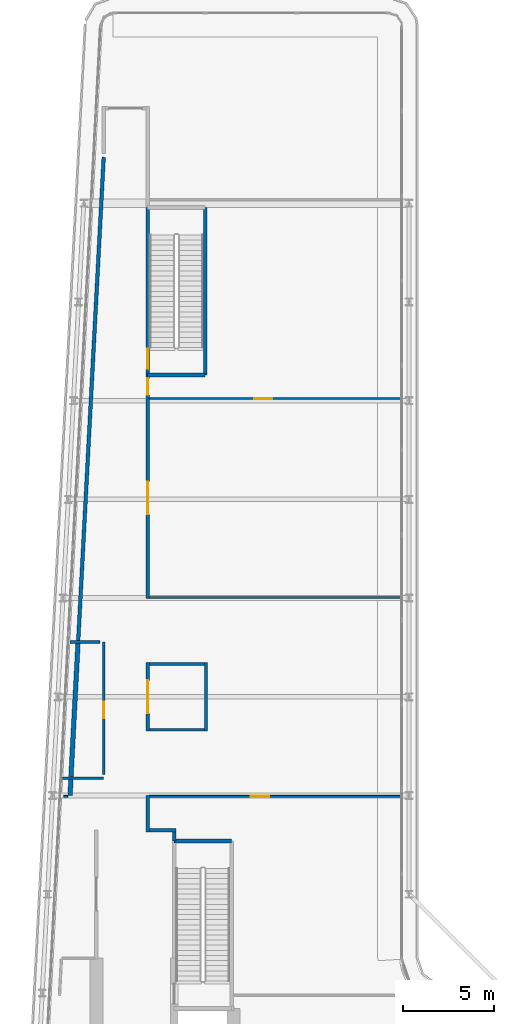
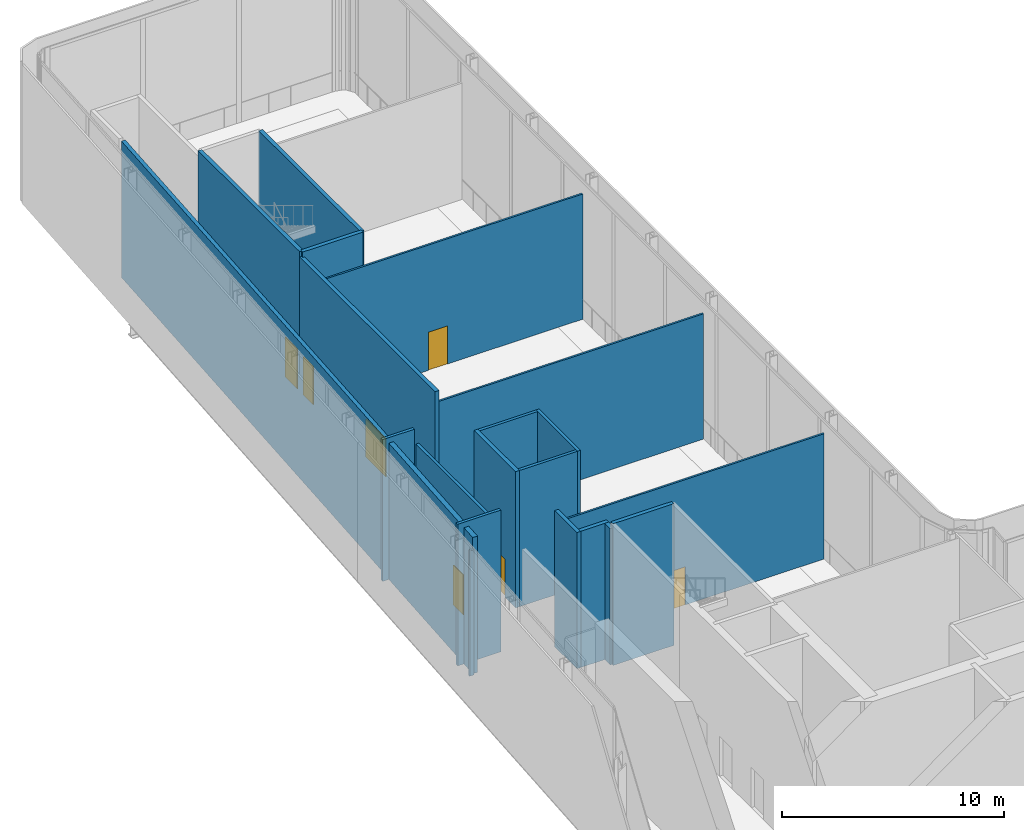
# One storey, part 29 of 38: 22 walls, 7 doors, 7 openings.
"""IFC4 building model written with IfcOpenShell, lengths in metres."""

from ifc_helpers import new_model, si_unit, direction, frame, frame_2d, origin, place, context, subcontext, project, spatial, rectangle, extrude, source, transform, mapped, material, layer, layer_set, type_object, element, fill, save


model = new_model("IFC4")

# Units and contexts
model_context = context("Model", 3, precision=1e-05, world=origin(), true_north=direction((0.0, 1.0)))
body_context = subcontext(model_context, "Body", "Model", "MODEL_VIEW")
ifc_project = project(units=[si_unit("LENGTHUNIT", "METRE"), si_unit("AREAUNIT", "SQUARE_METRE"), si_unit("VOLUMEUNIT", "CUBIC_METRE"), si_unit("PLANEANGLEUNIT", "RADIAN"), si_unit("MASSUNIT", "GRAM", prefix="KILO")], contexts=[model_context])

# Site, building, storey
site_placement = place(None, origin())
site = spatial("IfcSite", under=ifc_project, at=site_placement, CompositionType="ELEMENT")
building_placement = place(site_placement, origin())
building = spatial("IfcBuilding", under=site, at=building_placement, Name="Kheshtan School and Residences Tower", CompositionType="ELEMENT")
storey_placement = place(building_placement, frame((0.0, 0.0, 203.300048828125)))
storey = spatial("IfcBuildingStorey", under=building, at=storey_placement, Name="L48", CompositionType="ELEMENT", Elevation=203.300048828125)

# Walls
ifc_material_1 = material(Name="Gypsum board on steel studs with fire boards", Category="steel")
ifc_layer_1 = layer(ifc_material_1, 0.199951171875)
ifc_layer_set_1 = layer_set([ifc_layer_1], Name="Corridor wall 200")
wall_type_1 = type_object("IfcWallType", Name="Corridor wall 200", PredefinedType="PARTITIONING", material=ifc_layer_set_1)
wall_1_placement = place(storey_placement, frame((29.5048828125, 64.8740234375, 0.0), z_axis=(0.0, 0.0, 1.0), x_axis=(0.052618850307, 0.998614668725, 0.0)))
element("IfcWall", 1, at=wall_1_placement, inside=storey, type_object=wall_type_1, Name="Partition L48-006", PredefinedType="PARTITIONING", context=body_context, shape_type="SweptSolid", body=[
    extrude(rectangle(XDim=26.474609375, YDim=0.199951171875, at=frame_2d((13.2373046875, 0.0))), origin(), (0.0, 0.0, 1.0), 7.5),
])
wall_2_placement = place(storey_placement, frame((33.300048828125, 54.39990234375, 0.0), z_axis=(0.0, 0.0, 1.0), x_axis=(0.0, 1.0, 0.0)))
element("IfcWall", 2, at=wall_2_placement, inside=storey, type_object=wall_type_1, Name="Partition L48-010", PredefinedType="PARTITIONING", context=body_context, shape_type="SweptSolid", body=[
    extrude(rectangle(XDim=2.003173828125, YDim=0.199951171875, at=frame_2d((1.00146484375, 0.0))), origin(), (0.0, 0.0, 1.0), 7.5),
])

# Wall, opening, door
wall_3_placement = place(storey_placement, frame((33.300048828125, 59.91796875, 0.0), z_axis=(0.0, 0.0, 1.0), x_axis=(0.0, 1.0, 0.0)))
wall_3 = element("IfcWall", 3, at=wall_3_placement, inside=storey, type_object=wall_type_1, Name="Partition L48-011", PredefinedType="PARTITIONING", context=body_context, shape_type="SweptSolid", body=[
    extrude(rectangle(XDim=3.75, YDim=0.199951171875, at=frame_2d((1.875, 0.0))), origin(), (0.0, 0.0, 1.0), 7.5),
])
opening_1_placement = place(wall_3_placement, frame((0.97509765625, 0.0, 0.0)))
opening_1 = element("IfcOpeningElement", 4, at=opening_1_placement, cuts=wall_3, Name="Opening D48-009", PredefinedType="OPENING", context=body_context, shape_type="SweptSolid", body=[
    extrude(rectangle(XDim=1.800048828125, YDim=2.10009765625, at=frame_2d((0.89990234375, 1.050048828125))), frame((0.0, 0.10986328125, 0.0), z_axis=(0.0, -1.0, 0.0), x_axis=(1.0, 0.0, 0.0)), (0.0, 0.0, 1.0), 0.219970703125),
])
ifc_material_2 = material(Name="Steel-framed fire-resisting door leaf", Category="steel")
door_type_1 = type_object("IfcDoorType", Name="Fire double door FD60 1800 x 2100", OperationType="DOUBLE_DOOR_SINGLE_SWING", PredefinedType="DOOR", material=ifc_material_2)
shared_shape_1 = source(origin(), body_context, "Body", "SweptSolid", [
    extrude(rectangle(XDim=1.800048828125, YDim=2.10009765625, at=frame_2d((0.89990234375, 1.050048828125))), frame((0.0, 0.02490234375, 0.0), z_axis=(0.0, -1.0, 0.0), x_axis=(1.0, 0.0, 0.0)), (0.0, 0.0, 1.0), 0.050048828125),
])
door_1_placement = place(opening_1_placement, origin())
door_1 = element("IfcDoor", 5, at=door_1_placement, inside=storey, type_object=door_type_1, Name="Door D48-009", OperationType="DOUBLE_DOOR_SINGLE_SWING", OverallHeight=2.10009765625, OverallWidth=1.800048828125, PredefinedType="DOOR", context=body_context, shape_type="MappedRepresentation", body=[
    mapped(shared_shape_1, transform((0.0, 0.0, 0.0), x_axis=(1.0, 0.0, 0.0), y_axis=(0.0, 1.0, 0.0), z_axis=(0.0, 0.0, 1.0), scale=1.0)),
])
fill(opening_1, door_1)

# Wall, openings, doors
wall_4_placement = place(storey_placement, frame((33.300048828125, 67.181884765625, 0.0), z_axis=(0.0, 0.0, 1.0), x_axis=(0.0, 1.0, 0.0)))
wall_4 = element("IfcWall", 6, at=wall_4_placement, inside=storey, type_object=wall_type_1, Name="Partition L48-012", PredefinedType="PARTITIONING", context=body_context, shape_type="SweptSolid", body=[
    extrude(rectangle(XDim=12.218017578125, YDim=0.199951171875, at=frame_2d((6.10888671875, 0.0))), origin(), (0.0, 0.0, 1.0), 7.5),
])
opening_2_placement = place(wall_4_placement, frame((4.590087890625, 0.0, 0.0)))
opening_2 = element("IfcOpeningElement", 7, at=opening_2_placement, cuts=wall_4, Name="Opening D48-010", PredefinedType="OPENING", context=body_context, shape_type="SweptSolid", body=[
    extrude(rectangle(XDim=1.800048828125, YDim=2.10009765625, at=frame_2d((0.89990234375, 1.050048828125))), frame((0.0, 0.10986328125, 0.0), z_axis=(0.0, -1.0, 0.0), x_axis=(1.0, 0.0, 0.0)), (0.0, 0.0, 1.0), 0.219970703125),
])
opening_3_placement = place(wall_4_placement, frame((11.1298828125, 0.0, 0.0)))
opening_3 = element("IfcOpeningElement", 8, at=opening_3_placement, cuts=wall_4, Name="Opening D48-013", PredefinedType="OPENING", context=body_context, shape_type="SweptSolid", body=[
    extrude(rectangle(XDim=0.89990234375, YDim=2.10009765625, at=frame_2d((0.449951171875, 1.050048828125))), frame((0.0, 0.10986328125, 0.0), z_axis=(0.0, -1.0, 0.0), x_axis=(1.0, 0.0, 0.0)), (0.0, 0.0, 1.0), 0.219970703125),
])
door_2_placement = place(opening_2_placement, origin())
door_2 = element("IfcDoor", 9, at=door_2_placement, inside=storey, type_object=door_type_1, Name="Door D48-010", OperationType="DOUBLE_DOOR_SINGLE_SWING", OverallHeight=2.10009765625, OverallWidth=1.800048828125, PredefinedType="DOOR", context=body_context, shape_type="MappedRepresentation", body=[
    mapped(shared_shape_1, transform((0.0, 0.0, 0.0), x_axis=(1.0, 0.0, 0.0), y_axis=(0.0, 1.0, 0.0), z_axis=(0.0, 0.0, 1.0), scale=1.0)),
])
fill(opening_2, door_2)
door_type_2 = type_object("IfcDoorType", Name="Fire door FD60 900 x 2100", OperationType="SINGLE_SWING_LEFT", PredefinedType="DOOR", material=ifc_material_2)
shared_shape_2 = source(origin(), body_context, "Body", "SweptSolid", [
    extrude(rectangle(XDim=0.89990234375, YDim=2.10009765625, at=frame_2d((0.449951171875, 1.050048828125))), frame((0.0, 0.02490234375, 0.0), z_axis=(0.0, -1.0, 0.0), x_axis=(1.0, 0.0, 0.0)), (0.0, 0.0, 1.0), 0.050048828125),
])
door_3_placement = place(opening_3_placement, origin())
door_3 = element("IfcDoor", 10, at=door_3_placement, inside=storey, type_object=door_type_2, Name="Door D48-013", OperationType="SINGLE_SWING_LEFT", OverallHeight=2.10009765625, OverallWidth=0.89990234375, PredefinedType="DOOR", context=body_context, shape_type="MappedRepresentation", body=[
    mapped(shared_shape_2, transform((0.0, 0.0, 0.0), x_axis=(1.0, 0.0, 0.0), y_axis=(0.0, 1.0, 0.0), z_axis=(0.0, 0.0, 1.0), scale=1.0)),
])
fill(opening_3, door_3)

# Walls
wall_5_placement = place(storey_placement, frame((33.39990234375, 54.5, 0.0), z_axis=(0.0, 0.0, 1.0), x_axis=(1.0, 0.0, 0.0)))
element("IfcWall", 11, at=wall_5_placement, inside=storey, type_object=wall_type_1, Name="Partition L48-014", PredefinedType="PARTITIONING", context=body_context, shape_type="SweptSolid", body=[
    extrude(rectangle(XDim=1.4501953125, YDim=0.199951171875, at=frame_2d((0.72509765625, 0.0))), origin(), (0.0, 0.0, 1.0), 7.5),
])
wall_6_placement = place(storey_placement, frame((34.75, 53.909912109375, 0.0), z_axis=(0.0, 0.0, 1.0), x_axis=(0.0, 1.0, 0.0)))
element("IfcWall", 12, at=wall_6_placement, inside=storey, type_object=wall_type_1, Name="Partition L48-021", PredefinedType="PARTITIONING", context=body_context, shape_type="SweptSolid", body=[
    extrude(rectangle(XDim=0.489990234375, YDim=0.199951171875, at=frame_2d((0.2451171875, 0.0))), origin(), (0.0, 0.0, 1.0), 7.5),
])
ifc_material_3 = material(Name="Gypsum board on steel studs", Category="steel")
ifc_layer_2 = layer(ifc_material_3, 0.10009765625)
ifc_layer_set_2 = layer_set([ifc_layer_2], Name="Gypsum partition 100")
wall_type_2 = type_object("IfcWallType", Name="Gypsum partition 100", PredefinedType="PARTITIONING", material=ifc_layer_set_2)
wall_7_placement = place(storey_placement, frame((28.72412109375, 56.35302734375, 0.0), z_axis=(0.0, 0.0, 1.0), x_axis=(1.0, 0.0, 0.0)))
element("IfcWall", 13, at=wall_7_placement, inside=storey, type_object=wall_type_2, Name="Partition L48-003", PredefinedType="PARTITIONING", context=body_context, shape_type="SweptSolid", body=[
    extrude(rectangle(XDim=0.204833984375, YDim=0.10009765625, at=frame_2d((0.1025390625, 0.0))), origin(), (0.0, 0.0, 1.0), 6.89697265625),
])

# Wall, opening, door
wall_8_placement = place(storey_placement, frame((33.39990234375, 56.35302734375, 0.0), z_axis=(0.0, 0.0, 1.0), x_axis=(1.0, 0.0, 0.0)))
wall_8 = element("IfcWall", 14, at=wall_8_placement, inside=storey, type_object=wall_type_2, Name="Partition L48-015", PredefinedType="PARTITIONING", context=body_context, shape_type="SweptSolid", body=[
    extrude(rectangle(XDim=13.77001953125, YDim=0.10009765625, at=frame_2d((6.885009765625, 0.0))), origin(), (0.0, 0.0, 1.0), 6.89697265625),
])
opening_4_placement = place(wall_8_placement, frame((5.550048828125, 0.0, 0.0)))
opening_4 = element("IfcOpeningElement", 15, at=opening_4_placement, cuts=wall_8, Name="Opening D48-007", PredefinedType="OPENING", context=body_context, shape_type="SweptSolid", body=[
    extrude(rectangle(XDim=1.0, YDim=2.10009765625, at=frame_2d((0.5, 1.050048828125))), frame((0.0, 0.06005859375, 0.0), z_axis=(0.0, -1.0, 0.0), x_axis=(1.0, 0.0, 0.0)), (0.0, 0.0, 1.0), 0.1201171875),
])
ifc_material_4 = material(Name="Veneered timber door leaf", Category="wood")
door_type_3 = type_object("IfcDoorType", Name="Door 1000 x 2100", OperationType="SINGLE_SWING_LEFT", PredefinedType="DOOR", material=ifc_material_4)
shared_shape_3 = source(origin(), body_context, "Body", "SweptSolid", [
    extrude(rectangle(XDim=1.0, YDim=2.10009765625, at=frame_2d((0.5, 1.050048828125))), frame((0.0, 0.02490234375, 0.0), z_axis=(0.0, -1.0, 0.0), x_axis=(1.0, 0.0, 0.0)), (0.0, 0.0, 1.0), 0.050048828125),
])
door_4_placement = place(opening_4_placement, origin())
door_4 = element("IfcDoor", 16, at=door_4_placement, inside=storey, type_object=door_type_3, Name="Door D48-007", OperationType="SINGLE_SWING_LEFT", OverallHeight=2.10009765625, OverallWidth=1.0, PredefinedType="DOOR", context=body_context, shape_type="MappedRepresentation", body=[
    mapped(shared_shape_3, transform((0.0, 0.0, 0.0), x_axis=(1.0, 0.0, 0.0), y_axis=(0.0, 1.0, 0.0), z_axis=(0.0, 0.0, 1.0), scale=1.0)),
])
fill(opening_4, door_4)

# Wall
wall_9_placement = place(storey_placement, frame((33.39990234375, 67.23193359375, 0.0), z_axis=(0.0, 0.0, 1.0), x_axis=(1.0, 0.0, 0.0)))
element("IfcWall", 17, at=wall_9_placement, inside=storey, type_object=wall_type_2, Name="Partition L48-018", PredefinedType="PARTITIONING", context=body_context, shape_type="SweptSolid", body=[
    extrude(rectangle(XDim=13.77001953125, YDim=0.10009765625, at=frame_2d((6.885009765625, 0.0))), origin(), (0.0, 0.0, 1.0), 6.89697265625),
])

# Wall, opening, door
wall_10_placement = place(storey_placement, frame((33.39990234375, 78.112060546875, 0.0), z_axis=(0.0, 0.0, 1.0), x_axis=(1.0, 0.0, 0.0)))
wall_10 = element("IfcWall", 18, at=wall_10_placement, inside=storey, type_object=wall_type_2, Name="Partition L48-019", PredefinedType="PARTITIONING", context=body_context, shape_type="SweptSolid", body=[
    extrude(rectangle(XDim=13.77001953125, YDim=0.10009765625, at=frame_2d((6.885009765625, 0.0))), origin(), (0.0, 0.0, 1.0), 6.89697265625),
])
opening_5_placement = place(wall_10_placement, frame((5.72998046875, 0.0, 0.0)))
opening_5 = element("IfcOpeningElement", 19, at=opening_5_placement, cuts=wall_10, Name="Opening D48-012", PredefinedType="OPENING", context=body_context, shape_type="SweptSolid", body=[
    extrude(rectangle(XDim=1.0, YDim=2.10009765625, at=frame_2d((0.5, 1.050048828125))), frame((0.0, 0.06005859375, 0.0), z_axis=(0.0, -1.0, 0.0), x_axis=(1.0, 0.0, 0.0)), (0.0, 0.0, 1.0), 0.1201171875),
])
door_5_placement = place(opening_5_placement, origin())
door_5 = element("IfcDoor", 20, at=door_5_placement, inside=storey, type_object=door_type_3, Name="Door D48-012", OperationType="SINGLE_SWING_LEFT", OverallHeight=2.10009765625, OverallWidth=1.0, PredefinedType="DOOR", context=body_context, shape_type="MappedRepresentation", body=[
    mapped(shared_shape_3, transform((0.0, 0.0, 0.0), x_axis=(1.0, 0.0, 0.0), y_axis=(0.0, 1.0, 0.0), z_axis=(0.0, 0.0, 1.0), scale=1.0)),
])
fill(opening_5, door_5)

# Walls
ifc_material_5 = material(Name="Fire-board and steel stud wall with mineral wool", Category="steel")
ifc_layer_3 = layer(ifc_material_5, 0.25)
ifc_layer_set_3 = layer_set([ifc_layer_3], Name="Plant room wall 250")
wall_type_3 = type_object("IfcWallType", Name="Plant room wall 250", PredefinedType="PARTITIONING", material=ifc_layer_set_3)
wall_11_placement = place(storey_placement, frame((29.05810546875, 56.403076171875, 0.0), z_axis=(0.0, 0.0, 1.0), x_axis=(0.052573510687, 0.998617056721, 0.0)))
element("IfcWall", 21, at=wall_11_placement, inside=storey, type_object=wall_type_3, Name="Partition L48-004", PredefinedType="PARTITIONING", context=body_context, shape_type="SweptSolid", body=[
    extrude(rectangle(XDim=0.873046875, YDim=0.25, at=frame_2d((0.4365234375, 0.0))), origin(), (0.0, 0.0, 1.0), 7.5),
])
wall_12_placement = place(storey_placement, frame((29.10791015625, 57.423095703125, 0.0), z_axis=(0.0, 0.0, 1.0), x_axis=(0.052513275685, 0.99862022605, 0.0)))
element("IfcWall", 22, at=wall_12_placement, inside=storey, type_object=wall_type_3, Name="Partition L48-005", PredefinedType="PARTITIONING", context=body_context, shape_type="SweptSolid", body=[
    extrude(rectangle(XDim=7.31298828125, YDim=0.25, at=frame_2d((3.656494140625, 0.0))), origin(), (0.0, 0.0, 1.0), 7.5),
])
ifc_material_6 = material(Name="Fire-board shaft wall system")
ifc_layer_4 = layer(ifc_material_6, 0.14990234375)
ifc_layer_set_4 = layer_set([ifc_layer_4], Name="Service room wall 150")
wall_type_4 = type_object("IfcWallType", Name="Service room wall 150", PredefinedType="PARTITIONING", material=ifc_layer_set_4)
wall_13_placement = place(storey_placement, frame((28.657958984375, 57.34912109375, 0.0), z_axis=(0.0, 0.0, 1.0), x_axis=(1.0, 0.0, 0.0)))
element("IfcWall", 23, at=wall_13_placement, inside=storey, type_object=wall_type_4, Name="Service room wall", PredefinedType="PARTITIONING", context=body_context, shape_type="SweptSolid", body=[
    extrude(rectangle(XDim=2.241943359375, YDim=0.14990234375, at=frame_2d((1.12109375, 0.0))), origin(), (0.0, 0.0, 1.0), 7.800048828125),
])

# Wall, opening, door
wall_14_placement = place(storey_placement, frame((30.89990234375, 57.5439453125, 0.0), z_axis=(0.0, 0.0, 1.0), x_axis=(0.0, 1.0, 0.0)))
wall_14 = element("IfcWall", 24, at=wall_14_placement, inside=storey, type_object=wall_type_4, Name="Service room wall", PredefinedType="PARTITIONING", context=body_context, shape_type="SweptSolid", body=[
    extrude(rectangle(XDim=7.256103515625, YDim=0.14990234375, at=frame_2d((3.6279296875, 0.0))), origin(), (0.0, 0.0, 1.0), 6.89697265625),
])
opening_6_placement = place(wall_14_placement, frame((3.080078125, 0.0, 0.0)))
opening_6 = element("IfcOpeningElement", 25, at=opening_6_placement, cuts=wall_14, Name="Opening SR90", PredefinedType="OPENING", context=body_context, shape_type="SweptSolid", body=[
    extrude(rectangle(XDim=0.89990234375, YDim=2.199951171875, at=frame_2d((0.449951171875, 1.10009765625))), frame((0.0, 0.0849609375, 0.0), z_axis=(0.0, -1.0, 0.0), x_axis=(1.0, 0.0, 0.0)), (0.0, 0.0, 1.0), 0.169921875),
])
ifc_material_7 = material(Name="Steel door leaf, galvanised", Category="steel")
door_type_4 = type_object("IfcDoorType", Name="Service room door 900 steel 90 min", OperationType="SINGLE_SWING_LEFT", PredefinedType="DOOR", material=ifc_material_7)
shared_shape_4 = source(origin(), body_context, "Body", "SweptSolid", [
    extrude(rectangle(XDim=0.89990234375, YDim=2.199951171875, at=frame_2d((0.449951171875, 1.10009765625))), frame((0.0, 0.02490234375, 0.0), z_axis=(0.0, -1.0, 0.0), x_axis=(1.0, 0.0, 0.0)), (0.0, 0.0, 1.0), 0.050048828125),
])
door_6_placement = place(opening_6_placement, origin())
door_6 = element("IfcDoor", 26, at=door_6_placement, inside=storey, type_object=door_type_4, Name="Service room door", OperationType="SINGLE_SWING_LEFT", OverallHeight=2.199951171875, OverallWidth=0.89990234375, PredefinedType="DOOR", context=body_context, shape_type="MappedRepresentation", body=[
    mapped(shared_shape_4, transform((0.0, 0.0, 0.0), x_axis=(1.0, 0.0, 0.0), y_axis=(0.0, 1.0, 0.0), z_axis=(0.0, 0.0, 1.0), scale=1.0)),
])
fill(opening_6, door_6)

# Walls
wall_15_placement = place(storey_placement, frame((29.050048828125, 64.800048828125, 0.0), z_axis=(0.0, 0.0, 1.0), x_axis=(1.0, 0.0, 0.0)))
element("IfcWall", 27, at=wall_15_placement, inside=storey, type_object=wall_type_4, Name="Service room wall", PredefinedType="PARTITIONING", context=body_context, shape_type="SweptSolid", body=[
    extrude(rectangle(XDim=1.655029296875, YDim=0.14990234375, at=frame_2d((0.82763671875, 0.0))), origin(), (0.0, 0.0, 1.0), 7.800048828125),
])
ifc_material_8 = material(Name="Concrete C40/50", Category="concrete")
ifc_layer_5 = layer(ifc_material_8, 0.199951171875)
ifc_layer_set_5 = layer_set([ifc_layer_5], Name="Stair enclosure wall 200 Concrete C40/50")
wall_type_5 = type_object("IfcWallType", Name="Stair enclosure wall 200 Concrete C40/50", PredefinedType="SHEAR", material=ifc_layer_set_5)
for number, where, z_axis, x_axis, name in (
    (28, (34.75, 53.909912109375, 0.0), (0.0, 0.0, 1.0), (1.0, 0.0, 0.0), "Stair enclosure wall ST2"),
    (29, (33.300048828125, 79.39990234375, 0.0), (0.0, 0.0, 1.0), (1.0, 0.0, 0.0), "Stair enclosure wall ST3"),
):
    element("IfcWall", number, at=place(storey_placement, frame(where, z_axis=z_axis, x_axis=x_axis)), inside=storey, type_object=wall_type_5, Name=name, PredefinedType="SHEAR", context=body_context, shape_type="SweptSolid", body=[
        extrude(rectangle(XDim=3.14990234375, YDim=0.199951171875, at=frame_2d((1.574951171875, 0.0))), origin(), (0.0, 0.0, 1.0), 7.800048828125),
    ])

# Wall, opening, door
wall_16_placement = place(storey_placement, frame((33.300048828125, 79.39990234375, 0.0), z_axis=(0.0, 0.0, 1.0), x_axis=(0.0, 1.0, 0.0)))
wall_16 = element("IfcWall", 30, at=wall_16_placement, inside=storey, type_object=wall_type_5, Name="Stair enclosure wall ST3", PredefinedType="SHEAR", context=body_context, shape_type="SweptSolid", body=[
    extrude(rectangle(XDim=9.16015625, YDim=0.199951171875, at=frame_2d((4.580078125, 0.0))), origin(), (0.0, 0.0, 1.0), 7.800048828125),
])
opening_7_placement = place(wall_16_placement, frame((0.35009765625, 0.0, 0.0)))
opening_7 = element("IfcOpeningElement", 31, at=opening_7_placement, cuts=wall_16, Name="Opening ST3D", PredefinedType="OPENING", context=body_context, shape_type="SweptSolid", body=[
    extrude(rectangle(XDim=1.10009765625, YDim=2.199951171875, at=frame_2d((0.550048828125, 1.10009765625))), frame((0.0, 0.10986328125, 0.0), z_axis=(0.0, -1.0, 0.0), x_axis=(1.0, 0.0, 0.0)), (0.0, 0.0, 1.0), 0.219970703125),
])
door_type_5 = type_object("IfcDoorType", Name="Stair door 1100 steel 90 min", OperationType="SINGLE_SWING_LEFT", PredefinedType="DOOR", material=ifc_material_7)
shared_shape_5 = source(origin(), body_context, "Body", "SweptSolid", [
    extrude(rectangle(XDim=1.10009765625, YDim=2.199951171875, at=frame_2d((0.550048828125, 1.10009765625))), frame((0.0, 0.02490234375, 0.0), z_axis=(0.0, -1.0, 0.0), x_axis=(1.0, 0.0, 0.0)), (0.0, 0.0, 1.0), 0.050048828125),
])
door_7_placement = place(opening_7_placement, origin())
door_7 = element("IfcDoor", 32, at=door_7_placement, inside=storey, type_object=door_type_5, Name="Stair ST3 door", OperationType="SINGLE_SWING_RIGHT", OverallHeight=2.199951171875, OverallWidth=1.10009765625, PredefinedType="DOOR", context=body_context, shape_type="MappedRepresentation", body=[
    mapped(shared_shape_5, transform((0.0, 0.0, 0.0), x_axis=(1.0, 0.0, 0.0), y_axis=(0.0, 1.0, 0.0), z_axis=(0.0, 0.0, 1.0), scale=1.0)),
])
fill(opening_7, door_7)

# Walls
wall_17_placement = place(storey_placement, frame((36.449951171875, 79.39990234375, 0.0), z_axis=(0.0, 0.0, 1.0), x_axis=(0.0, 1.0, 0.0)))
element("IfcWall", 33, at=wall_17_placement, inside=storey, type_object=wall_type_5, Name="Stair enclosure wall ST3", PredefinedType="SHEAR", context=body_context, shape_type="SweptSolid", body=[
    extrude(rectangle(XDim=9.16015625, YDim=0.199951171875, at=frame_2d((4.580078125, 0.0))), origin(), (0.0, 0.0, 1.0), 7.800048828125),
])
ifc_material_9 = material(Name="Moisture-resistant gypsum board on steel studs", Category="steel")
ifc_layer_6 = layer(ifc_material_9, 0.14990234375)
ifc_layer_set_6 = layer_set([ifc_layer_6], Name="Wet-room partition 150")
wall_type_6 = type_object("IfcWallType", Name="Wet-room partition 150", PredefinedType="PARTITIONING", material=ifc_layer_set_6)
for number, where, z_axis, x_axis, name in (
    (34, (33.39990234375, 59.992919921875, 0.0), (0.0, 0.0, 1.0), (1.0, 0.0, 0.0), "Partition L48-016"),
    (35, (33.39990234375, 63.593017578125, 0.0), (0.0, 0.0, 1.0), (1.0, 0.0, 0.0), "Partition L48-017"),
):
    element("IfcWall", number, at=place(storey_placement, frame(where, z_axis=z_axis, x_axis=x_axis)), inside=storey, type_object=wall_type_6, Name=name, PredefinedType="PARTITIONING", context=body_context, shape_type="SweptSolid", body=[
        extrude(rectangle(XDim=3.025146484375, YDim=0.14990234375, at=frame_2d((1.5126953125, 0.0))), origin(), (0.0, 0.0, 1.0), 7.5),
    ])
wall_18_placement = place(storey_placement, frame((36.5, 59.91796875, 0.0), z_axis=(0.0, 0.0, 1.0), x_axis=(0.0, 1.0, 0.0)))
element("IfcWall", 36, at=wall_18_placement, inside=storey, type_object=wall_type_6, Name="Partition L48-022", PredefinedType="PARTITIONING", context=body_context, shape_type="SweptSolid", body=[
    extrude(rectangle(XDim=3.75, YDim=0.14990234375, at=frame_2d((1.875, 0.0))), origin(), (0.0, 0.0, 1.0), 7.5),
])

save(model, "model.ifc")
